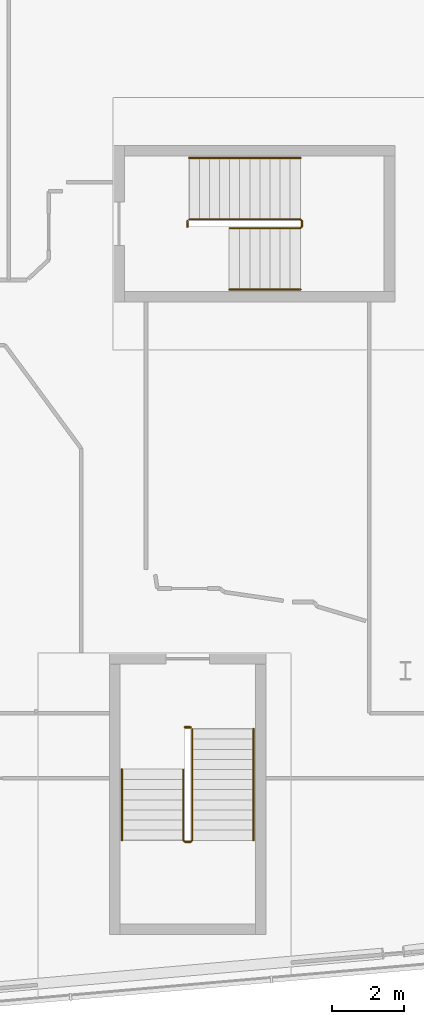
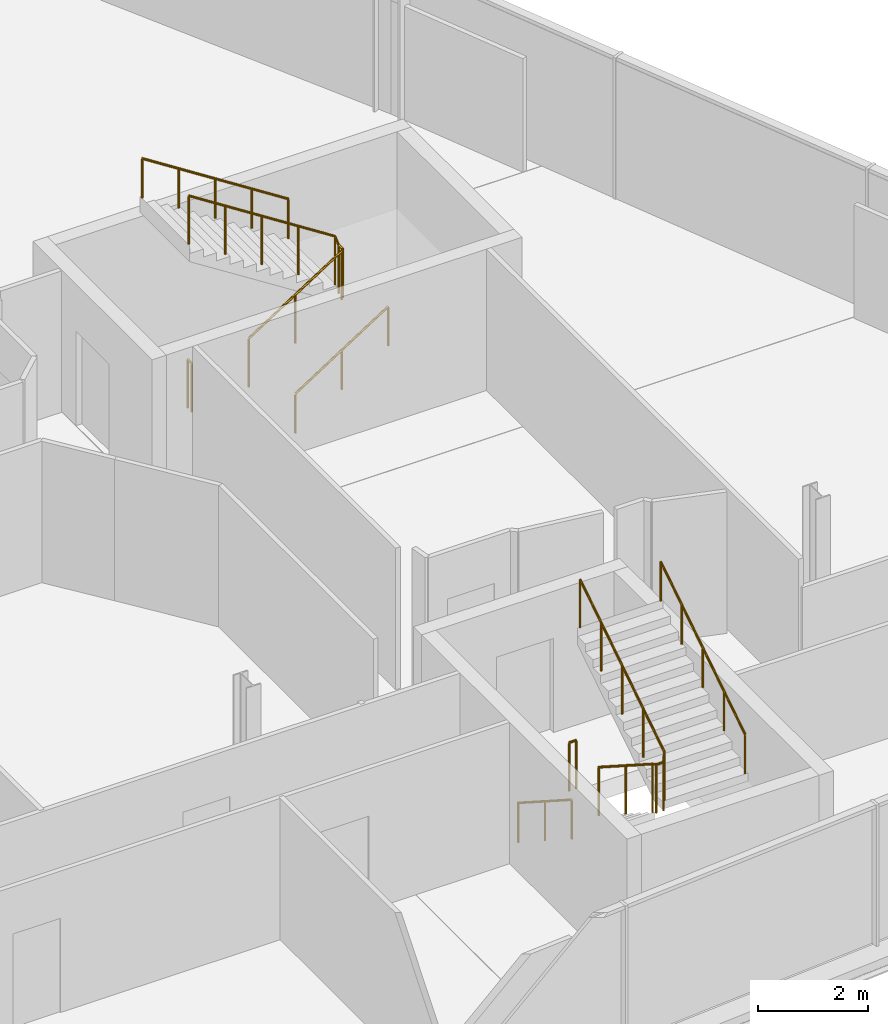
# One storey, part 23 of 24: 8 railings.
"""IFC4 building model written with IfcOpenShell, lengths in metres."""

from ifc_helpers import new_model, si_unit, direction, frame, origin, origin_2d, place, context, subcontext, project, spatial, circle, extrude, material, type_object, element, save


model = new_model("IFC4")

# Units and contexts
model_context = context("Model", 3, precision=1e-05, world=origin(), true_north=direction((0.0, 1.0)))
body_context = subcontext(model_context, "Body", "Model", "MODEL_VIEW")
ifc_project = project(units=[si_unit("LENGTHUNIT", "METRE"), si_unit("AREAUNIT", "SQUARE_METRE"), si_unit("VOLUMEUNIT", "CUBIC_METRE"), si_unit("PLANEANGLEUNIT", "RADIAN"), si_unit("MASSUNIT", "GRAM", prefix="KILO")], contexts=[model_context])

# Site, building, storey
site_placement = place(None, origin())
site = spatial("IfcSite", under=ifc_project, at=site_placement, CompositionType="ELEMENT")
building_placement = place(site_placement, origin())
building = spatial("IfcBuilding", under=site, at=building_placement, Name="Wharfspan Tower", CompositionType="ELEMENT")
storey_placement = place(building_placement, frame((0.0, 0.0, 198.699951)))
storey = spatial("IfcBuildingStorey", under=building, at=storey_placement, Name="L49", CompositionType="ELEMENT", Elevation=198.699951)

# Railings
ifc_material = material(Name="Steel S355J2", Category="steel")
railing_type_1 = type_object("IfcRailingType", Name="Stair guard 1100", PredefinedType="GUARDRAIL", material=ifc_material)
railing_1_placement = place(storey_placement, frame((65.836426, 8.763672, 0.179932)))
element("IfcRailing", 1, at=railing_1_placement, inside=storey, type_object=railing_type_1, Name="L49 ST5 stair guard 1", PredefinedType="GUARDRAIL", context=body_context, shape_type="SweptSolid", body=[
    extrude(circle(Radius=0.023926, at=origin_2d()), frame((0.0, 0.0, 1.076172), z_axis=(0.0, -0.841172, 0.540768), x_axis=(1.0, 0.0, 0.0)), (0.0, 0.0, 1.0), 2.330078),
    extrude(circle(Radius=0.023926, at=origin_2d()), frame((0.0, -1.959961, 2.335938), z_axis=(0.705376, -0.708834, 0.0), x_axis=(0.708834, 0.705376, 0.0)), (0.0, 0.0, 1.0), 0.070557),
    extrude(circle(Radius=0.023926, at=origin_2d()), frame((0.049805, -2.01001, 2.335938), z_axis=(1.0, 0.0, 0.0), x_axis=(0.0, 1.0, 0.0)), (0.0, 0.0, 1.0), 0.150146),
    extrude(circle(Radius=0.023926, at=origin_2d()), frame((0.199951, -2.01001, 2.335938), z_axis=(0.258544, 0.258544, 0.930758), x_axis=(-0.707107, 0.707107, 0.0)), (0.0, 0.0, 1.0), 0.193604),
    extrude(circle(Radius=0.023926, at=origin_2d()), frame((0.25, -1.959961, 2.516113), z_axis=(0.0, 0.841187, 0.540744), x_axis=(-1.0, 0.0, 0.0)), (0.0, 0.0, 1.0), 3.661621),
    extrude(circle(Radius=0.020996, at=origin_2d()), origin(), (0.0, 0.0, 1.0), 1.052002),
    extrude(circle(Radius=0.020996, at=origin_2d()), frame((0.0, -0.97998, 0.629883)), (0.0, 0.0, 1.0), 1.052002),
    extrude(circle(Radius=0.020996, at=origin_2d()), frame((0.0, -1.959961, 1.26001)), (0.0, 0.0, 1.0), 1.052002),
    extrude(circle(Radius=0.020996, at=origin_2d()), frame((0.049805, -2.01001, 1.26001)), (0.0, 0.0, 1.0), 1.052002),
    extrude(circle(Radius=0.020996, at=origin_2d()), frame((0.199951, -2.01001, 1.26001)), (0.0, 0.0, 1.0), 1.052002),
    extrude(circle(Radius=0.020996, at=origin_2d()), frame((0.25, -1.959961, 1.440186)), (0.0, 0.0, 1.0), 1.052002),
    extrude(circle(Radius=0.020996, at=origin_2d()), frame((0.25, -1.189941, 1.935059)), (0.0, 0.0, 1.0), 1.052002),
    extrude(circle(Radius=0.020996, at=origin_2d()), frame((0.25, -0.419922, 2.430176)), (0.0, 0.0, 1.0), 1.052002),
    extrude(circle(Radius=0.020996, at=origin_2d()), frame((0.25, 0.350098, 2.925293)), (0.0, 0.0, 1.0), 1.052002),
    extrude(circle(Radius=0.020996, at=origin_2d()), frame((0.25, 1.120117, 3.420166)), (0.0, 0.0, 1.0), 1.052002),
])
railing_2_placement = place(storey_placement, frame((65.88623, 9.933594, 0.0)))
element("IfcRailing", 2, at=railing_2_placement, inside=storey, type_object=railing_type_1, Name="L49 ST5 stair guard 2", PredefinedType="GUARDRAIL", context=body_context, shape_type="SweptSolid", body=[
    extrude(circle(Radius=0.023926, at=origin_2d()), frame((0.0, 0.0, 1.076172), z_axis=(1.0, 0.0, 0.0), x_axis=(0.0, 1.0, 0.0)), (0.0, 0.0, 1.0), 0.150146),
    extrude(circle(Radius=0.020996, at=origin_2d()), origin(), (0.0, 0.0, 1.0), 1.052002),
    extrude(circle(Radius=0.020996, at=origin_2d()), frame((0.150146, 0.0, 0.0)), (0.0, 0.0, 1.0), 1.052002),
])
railing_3_placement = place(storey_placement, frame((67.124512, 23.774902, 0.179932)))
element("IfcRailing", 3, at=railing_3_placement, inside=storey, type_object=railing_type_1, Name="L49 ST6 stair guard 1", PredefinedType="GUARDRAIL", context=body_context, shape_type="SweptSolid", body=[
    extrude(circle(Radius=0.023926, at=origin_2d()), frame((0.0, 0.0, 1.076172), z_axis=(0.841172, 0.0, 0.540768), x_axis=(0.0, 1.0, 0.0)), (0.0, 0.0, 1.0), 2.330078),
    extrude(circle(Radius=0.023926, at=origin_2d()), frame((1.959961, 0.0, 2.335938), z_axis=(0.707107, 0.707107, 0.0), x_axis=(-0.707107, 0.707107, 0.0)), (0.0, 0.0, 1.0), 0.070801),
    extrude(circle(Radius=0.023926, at=origin_2d()), frame((2.01001, 0.050049, 2.335938), z_axis=(0.0, 1.0, 0.0), x_axis=(-1.0, 0.0, 0.0)), (0.0, 0.0, 1.0), 0.150146),
    extrude(circle(Radius=0.023926, at=origin_2d()), frame((2.01001, 0.200195, 2.335938), z_axis=(-0.258628, 0.257366, 0.931061), x_axis=(-0.705372, -0.708838, 2e-06)), (0.0, 0.0, 1.0), 0.193604),
    extrude(circle(Radius=0.023926, at=origin_2d()), frame((1.959961, 0.25, 2.516113), z_axis=(-0.841168, 0.0, 0.540774), x_axis=(0.0, -1.0, 0.0)), (0.0, 0.0, 1.0), 3.661377),
    extrude(circle(Radius=0.020996, at=origin_2d()), origin(), (0.0, 0.0, 1.0), 1.052002),
    extrude(circle(Radius=0.020996, at=origin_2d()), frame((0.97998, 0.0, 0.629883)), (0.0, 0.0, 1.0), 1.052002),
    extrude(circle(Radius=0.020996, at=origin_2d()), frame((1.959961, 0.0, 1.26001)), (0.0, 0.0, 1.0), 1.052002),
    extrude(circle(Radius=0.020996, at=origin_2d()), frame((2.01001, 0.050049, 1.26001)), (0.0, 0.0, 1.0), 1.052002),
    extrude(circle(Radius=0.020996, at=origin_2d()), frame((2.01001, 0.200195, 1.26001)), (0.0, 0.0, 1.0), 1.052002),
    extrude(circle(Radius=0.020996, at=origin_2d()), frame((1.959961, 0.25, 1.440186)), (0.0, 0.0, 1.0), 1.052002),
    extrude(circle(Radius=0.020996, at=origin_2d()), frame((1.189941, 0.25, 1.935059)), (0.0, 0.0, 1.0), 1.052002),
    extrude(circle(Radius=0.020996, at=origin_2d()), frame((0.419922, 0.25, 2.430176)), (0.0, 0.0, 1.0), 1.052002),
    extrude(circle(Radius=0.020996, at=origin_2d()), frame((-0.349854, 0.25, 2.925293)), (0.0, 0.0, 1.0), 1.052002),
    extrude(circle(Radius=0.020996, at=origin_2d()), frame((-1.119873, 0.25, 3.420166)), (0.0, 0.0, 1.0), 1.052002),
])
railing_4_placement = place(storey_placement, frame((65.95459, 23.824951, 0.0)))
element("IfcRailing", 4, at=railing_4_placement, inside=storey, type_object=railing_type_1, Name="L49 ST6 stair guard 2", PredefinedType="GUARDRAIL", context=body_context, shape_type="SweptSolid", body=[
    extrude(circle(Radius=0.023926, at=origin_2d()), frame((0.0, 0.0, 1.076172), z_axis=(0.0, 1.0, 0.0), x_axis=(-1.0, 0.0, 0.0)), (0.0, 0.0, 1.0), 0.150146),
    extrude(circle(Radius=0.020996, at=origin_2d()), origin(), (0.0, 0.0, 1.0), 1.052002),
    extrude(circle(Radius=0.020996, at=origin_2d()), frame((0.0, 0.150146, 0.0)), (0.0, 0.0, 1.0), 1.052002),
])
railing_type_2 = type_object("IfcRailingType", Name="Stair handrail 900", PredefinedType="HANDRAIL", material=ifc_material)
railing_5_placement = place(storey_placement, frame((64.13623, 8.763672, 0.179932)))
element("IfcRailing", 5, at=railing_5_placement, inside=storey, type_object=railing_type_2, Name="L49 ST5 stair handrail 1", PredefinedType="HANDRAIL", context=body_context, shape_type="SweptSolid", body=[
    extrude(circle(Radius=0.023926, at=origin_2d()), frame((0.0, 0.0, 0.875977), z_axis=(0.0, -0.841172, 0.540768), x_axis=(1.0, 0.0, 0.0)), (0.0, 0.0, 1.0), 2.330078),
    extrude(circle(Radius=0.020996, at=origin_2d()), origin(), (0.0, 0.0, 1.0), 0.851807),
    extrude(circle(Radius=0.020996, at=origin_2d()), frame((0.0, -0.97998, 0.629883)), (0.0, 0.0, 1.0), 0.851807),
    extrude(circle(Radius=0.020996, at=origin_2d()), frame((0.0, -1.959961, 1.26001)), (0.0, 0.0, 1.0), 0.851807),
])
railing_6_placement = place(storey_placement, frame((67.786377, 6.803711, 1.620117)))
element("IfcRailing", 6, at=railing_6_placement, inside=storey, type_object=railing_type_2, Name="L49 ST5 stair handrail 2", PredefinedType="HANDRAIL", context=body_context, shape_type="SweptSolid", body=[
    extrude(circle(Radius=0.023926, at=origin_2d()), frame((0.0, 0.0, 0.875977), z_axis=(0.0, 0.841187, 0.540744), x_axis=(-1.0, 0.0, 0.0)), (0.0, 0.0, 1.0), 3.661621),
    extrude(circle(Radius=0.020996, at=origin_2d()), origin(), (0.0, 0.0, 1.0), 0.851807),
    extrude(circle(Radius=0.020996, at=origin_2d()), frame((0.0, 0.77002, 0.495117)), (0.0, 0.0, 1.0), 0.851807),
    extrude(circle(Radius=0.020996, at=origin_2d()), frame((0.0, 1.540039, 0.98999)), (0.0, 0.0, 1.0), 0.851807),
    extrude(circle(Radius=0.020996, at=origin_2d()), frame((0.0, 2.310059, 1.484863)), (0.0, 0.0, 1.0), 0.851807),
    extrude(circle(Radius=0.020996, at=origin_2d()), frame((0.0, 3.080078, 1.97998)), (0.0, 0.0, 1.0), 0.851807),
])
railing_7_placement = place(storey_placement, frame((67.124512, 22.074951, 0.179932)))
element("IfcRailing", 7, at=railing_7_placement, inside=storey, type_object=railing_type_2, Name="L49 ST6 stair handrail 1", PredefinedType="HANDRAIL", context=body_context, shape_type="SweptSolid", body=[
    extrude(circle(Radius=0.023926, at=origin_2d()), frame((0.0, 0.0, 0.875977), z_axis=(0.841172, 0.0, 0.540768), x_axis=(0.0, 1.0, 0.0)), (0.0, 0.0, 1.0), 2.330078),
    extrude(circle(Radius=0.020996, at=origin_2d()), origin(), (0.0, 0.0, 1.0), 0.851807),
    extrude(circle(Radius=0.020996, at=origin_2d()), frame((0.97998, 0.0, 0.629883)), (0.0, 0.0, 1.0), 0.851807),
    extrude(circle(Radius=0.020996, at=origin_2d()), frame((1.959961, 0.0, 1.26001)), (0.0, 0.0, 1.0), 0.851807),
])
railing_8_placement = place(storey_placement, frame((69.084473, 25.725098, 1.620117)))
element("IfcRailing", 8, at=railing_8_placement, inside=storey, type_object=railing_type_2, Name="L49 ST6 stair handrail 2", PredefinedType="HANDRAIL", context=body_context, shape_type="SweptSolid", body=[
    extrude(circle(Radius=0.023926, at=origin_2d()), frame((0.0, 0.0, 0.875977), z_axis=(-0.841168, 0.0, 0.540774), x_axis=(0.0, -1.0, 0.0)), (0.0, 0.0, 1.0), 3.661377),
    extrude(circle(Radius=0.020996, at=origin_2d()), origin(), (0.0, 0.0, 1.0), 0.851807),
    extrude(circle(Radius=0.020996, at=origin_2d()), frame((-0.77002, 0.0, 0.495117)), (0.0, 0.0, 1.0), 0.851807),
    extrude(circle(Radius=0.020996, at=origin_2d()), frame((-1.540039, 0.0, 0.98999)), (0.0, 0.0, 1.0), 0.851807),
    extrude(circle(Radius=0.020996, at=origin_2d()), frame((-2.309814, 0.0, 1.484863)), (0.0, 0.0, 1.0), 0.851807),
    extrude(circle(Radius=0.020996, at=origin_2d()), frame((-3.079834, 0.0, 1.97998)), (0.0, 0.0, 1.0), 0.851807),
])

save(model, "model.ifc")
